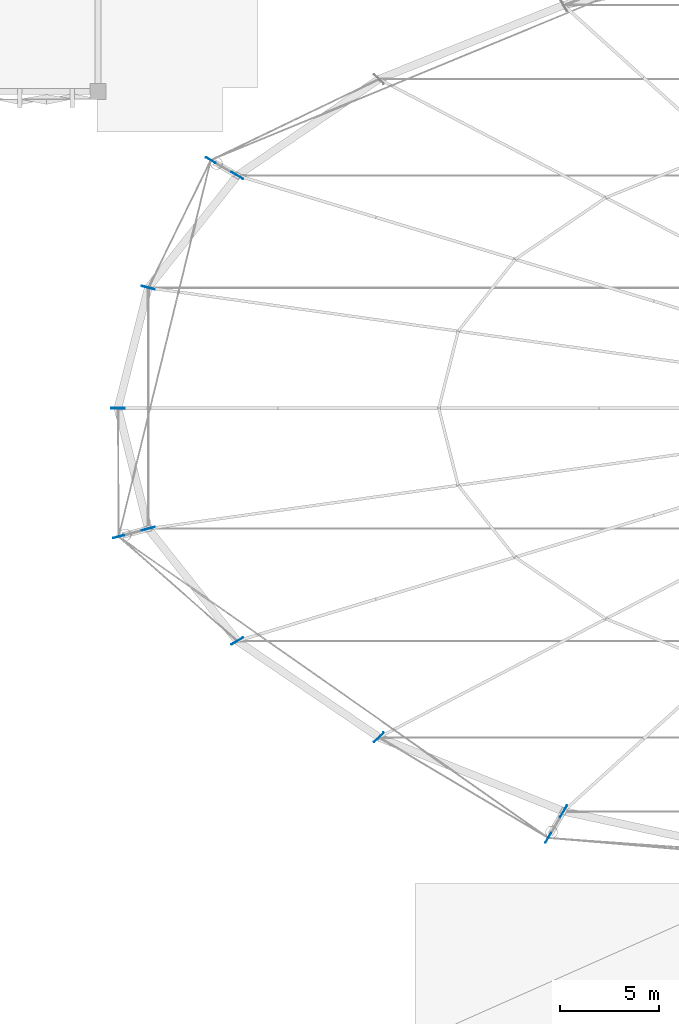
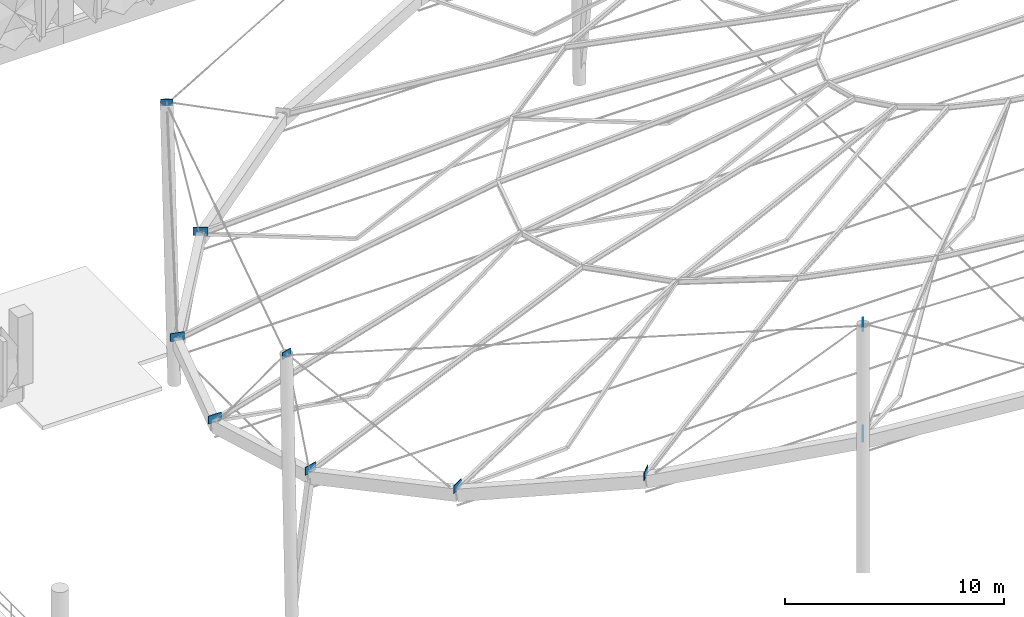
# One storey, part 41 of 96: 10 plates.
"""IFC4 building model written with IfcOpenShell, lengths in metres."""

from ifc_helpers import new_model, si_unit, derived_unit, direction, frame, origin, origin_2d, place, context, subcontext, project, spatial, rectangle, extrude, material, layer, layer_set, type_object, element, save


model = new_model("IFC4")

# Units and contexts
model_context = context("Model", 3, precision=1e-05, world=origin(), true_north=direction((0.0, 1.0)))
body_context = subcontext(model_context, "Body", "Model", "MODEL_VIEW")
ifc_project = project(units=[si_unit("LENGTHUNIT", "METRE"), si_unit("AREAUNIT", "SQUARE_METRE"), si_unit("VOLUMEUNIT", "CUBIC_METRE"), si_unit("PLANEANGLEUNIT", "RADIAN"), si_unit("MASSUNIT", "GRAM", prefix="KILO"), si_unit("THERMODYNAMICTEMPERATUREUNIT", "KELVIN"), derived_unit("THERMALTRANSMITTANCEUNIT", [(si_unit("POWERUNIT", "WATT"), 1), (si_unit("AREAUNIT", "SQUARE_METRE"), -1), (si_unit("THERMODYNAMICTEMPERATUREUNIT", "KELVIN"), -1)])], contexts=[model_context])

# Site, building, storey
site_placement = place(None, origin())
site = spatial("IfcSite", under=ifc_project, at=site_placement, CompositionType="ELEMENT")
building_placement = place(site_placement, origin())
building = spatial("IfcBuilding", under=site, at=building_placement, Name="Haiyu Intermodal Mobility Hub", CompositionType="ELEMENT")
storey_placement = place(building_placement, frame((0.0, 0.0, 9.5)))
storey = spatial("IfcBuildingStorey", under=building, at=storey_placement, Name="L02", CompositionType="ELEMENT", Elevation=9.5)

# Plates
ifc_material = material(Name="Steel Q355C", Category="steel")
ifc_layer_1 = layer(ifc_material, 0.035888671875)
ifc_layer_set_1 = layer_set([ifc_layer_1], Name="Steel Q355C")
plate_type_1 = type_object("IfcPlateType", Name="PLT-GP01", PredefinedType="USERDEFINED", material=ifc_layer_set_1)
for number, where, z_axis, x_axis, name in (
    (1, (69.029052734375, 75.75, 8.260009765625), (0.0, 0.0, 1.0), (-0.866025403784, 0.5, 0.0), "Ring Cable Clamp Gusset Plate GP-R11"),
    (2, (64.532958984375, 70.08203125, 7.382080078125), (0.0, 0.0, 1.0), (-0.965925826289, 0.258819045103, 0.0), "Ring Cable Clamp Gusset Plate GP-R12"),
    (3, (63.0, 64.0, 7.06005859375), (0.0, 0.0, 1.0), (-1.0, 0.0, 0.0), "Ring Cable Clamp Gusset Plate GP-R13"),
    (4, (64.532958984375, 57.91796875, 7.382080078125), (0.0, 0.0, 1.0), (-0.965925826289, -0.258819045103, 0.0), "Ring Cable Clamp Gusset Plate GP-R14"),
    (5, (69.029052734375, 52.25, 8.260009765625), (0.0, 0.0, 1.0), (-0.866025403784, -0.5, 0.0), "Ring Cable Clamp Gusset Plate GP-R15"),
    (6, (76.179931640625, 47.383056640625, 9.4599609375), (0.0, 0.0, 1.0), (-0.707106781187, -0.707106781187, 0.0), "Ring Cable Clamp Gusset Plate GP-R16"),
    (7, (85.5, 43.64794921875, 10.659912109375), (0.0, 0.0, 1.0), (-0.5, -0.866025403784, 0.0), "Ring Cable Clamp Gusset Plate GP-R17"),
):
    element("IfcPlate", number, at=place(storey_placement, frame(where, z_axis=z_axis, x_axis=x_axis)), inside=storey, type_object=plate_type_1, Name=name, ObjectType="GUSSET PLATE", PredefinedType="USERDEFINED", context=body_context, shape_type="SweptSolid", body=[
        extrude(rectangle(XDim=0.679931640625, YDim=0.035888671875, at=origin_2d()), origin(), (0.0, 0.0, 1.0), 0.43994140625),
    ])
ifc_layer_2 = layer(ifc_material, 0.031982421875)
ifc_layer_set_2 = layer_set([ifc_layer_2], Name="Steel Q355C")
plate_type_2 = type_object("IfcPlateType", Name="PLT-GP02", PredefinedType="USERDEFINED", material=ifc_layer_set_2)
for number, where, z_axis, x_axis, name in (
    (8, (67.68701171875, 76.52490234375, 15.469970703125), (0.0, 0.0, 1.0), (-0.866025403784, 0.5, 0.0), "Masthead Stay Anchor Plate GP-M04"),
    (9, (63.035888671875, 57.51708984375, 14.592041015625), (0.0, 0.0, 1.0), (-0.965925826289, -0.258819045103, 0.0), "Masthead Stay Anchor Plate GP-M05"),
    (10, (84.72509765625, 42.305908203125, 17.8701171875), (0.0, 0.0, 1.0), (-0.5, -0.866025403784, 0.0), "Masthead Stay Anchor Plate GP-M06"),
):
    element("IfcPlate", number, at=place(storey_placement, frame(where, z_axis=z_axis, x_axis=x_axis)), inside=storey, type_object=plate_type_2, Name=name, ObjectType="GUSSET PLATE", PredefinedType="USERDEFINED", context=body_context, shape_type="SweptSolid", body=[
        extrude(rectangle(XDim=0.56005859375, YDim=0.031982421875, at=origin_2d()), origin(), (0.0, 0.0, 1.0), 0.3798828125),
    ])

save(model, "model.ifc")
